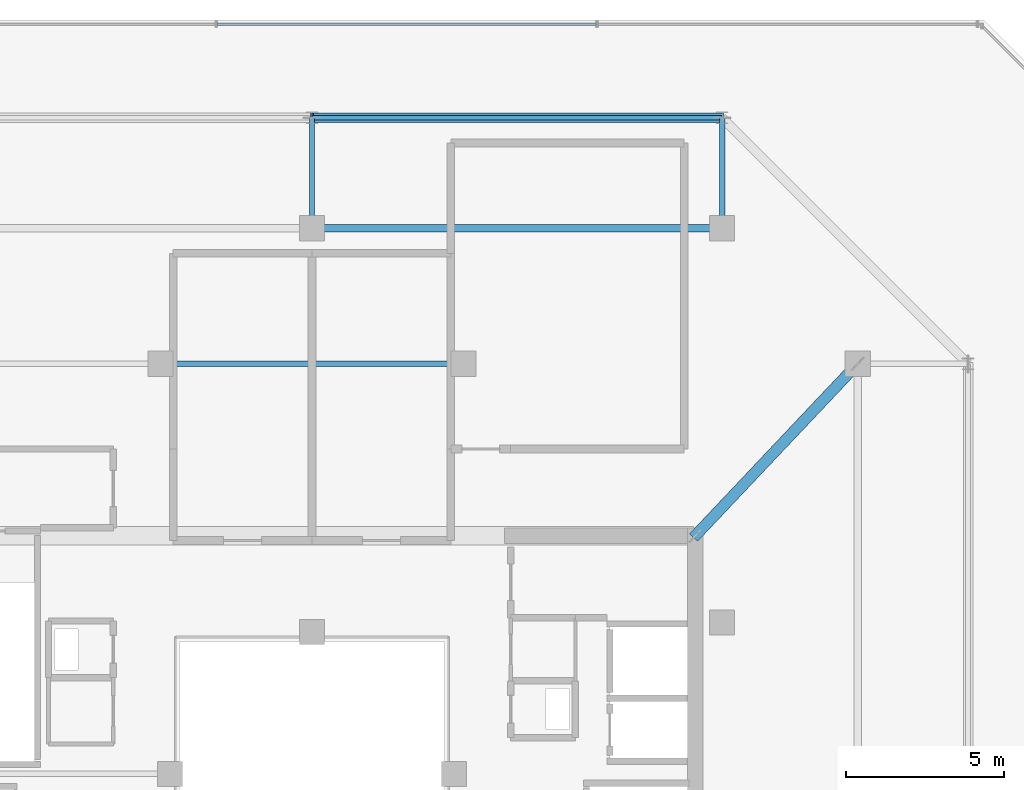
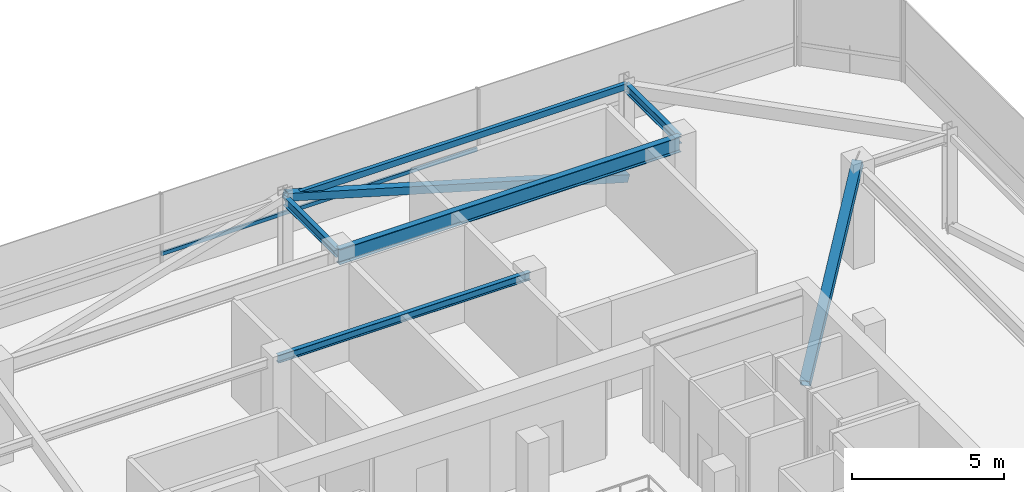
# One storey, part 32 of 47: 5 beams, 3 members, 1 element without a shape of its own.
"""IFC4 building model written with IfcOpenShell, lengths in metres."""

from ifc_helpers import new_model, si_unit, direction, frame, origin, origin_2d, place, context, subcontext, project, spatial, hollow_rectangle, i_section, extrude, material, material_profile, profile_set, type_object, element, aggregate, save


model = new_model("IFC4")

# Units and contexts
model_context = context("Model", 3, precision=1e-05, world=origin(), true_north=direction((0.0, 1.0)))
body_context = subcontext(model_context, "Body", "Model", "MODEL_VIEW")
ifc_project = project(units=[si_unit("LENGTHUNIT", "METRE"), si_unit("AREAUNIT", "SQUARE_METRE"), si_unit("VOLUMEUNIT", "CUBIC_METRE"), si_unit("PLANEANGLEUNIT", "RADIAN"), si_unit("MASSUNIT", "GRAM", prefix="KILO")], contexts=[model_context])

# Site, building, storey
site_placement = place(None, origin())
site = spatial("IfcSite", under=ifc_project, at=site_placement, CompositionType="ELEMENT")
building_placement = place(site_placement, origin())
building = spatial("IfcBuilding", under=site, at=building_placement, Name="Thornwick Lancets Civic Towers", CompositionType="ELEMENT")
storey_placement = place(building_placement, frame((0.0, 0.0, 279.89990234375)))
storey = spatial("IfcBuildingStorey", under=building, at=storey_placement, Name="C01", CompositionType="ELEMENT", Elevation=279.89990234375)

# Beams
ifc_material_1 = material(Name="Steel S355JR", Category="steel")
ifc_material_profile_1 = material_profile(ifc_material_1, hollow_rectangle(XDim=0.14990234375, YDim=0.25, WallThickness=0.012451171875, at=origin_2d()), Name="RHS 250x150x12.5")
ifc_profile_set_1 = profile_set([ifc_material_profile_1], Name="Steel S355JR")
beam_type_1 = type_object("IfcBeamType", Name="BM_CROWN_RHS250", PredefinedType="BEAM", material=ifc_profile_set_1)
beam_1_placement = place(storey_placement, frame((101.5, 47.800048828125, 3.815185546875), z_axis=(-1.0, 0.0, 0.0), x_axis=(0.0, -1.0, 0.0)))
element("IfcBeam", 1, at=beam_1_placement, inside=storey, type_object=beam_type_1, Name="BM-EDGE-C01-B-S1-1", PredefinedType="BEAM", context=body_context, shape_type="SweptSolid", body=[
    extrude(hollow_rectangle(XDim=0.14990234375, YDim=0.25, WallThickness=0.012451171875, at=origin_2d()), origin(), (0.0, 0.0, 1.0), 13.0),
])
ifc_material_profile_2 = material_profile(ifc_material_1, i_section(OverallWidth=0.230224609375, OverallDepth=0.6171875, WebThickness=0.01318359375, FlangeThickness=0.022216796875, FilletRadius=0.0126953125, at=origin_2d()), Name="UKB 610x229x140")
ifc_profile_set_2 = profile_set([ifc_material_profile_2], Name="Steel S355JR")
beam_type_2 = type_object("IfcBeamType", Name="BM_GIRD_610_140", PredefinedType="BEAM", material=ifc_profile_set_2)
beam_2_placement = place(storey_placement, frame((101.5, 44.300048828125, 3.631591796875), z_axis=(-1.0, 0.0, 0.0), x_axis=(0.0, -1.0, 0.0)))
element("IfcBeam", 2, at=beam_2_placement, inside=storey, type_object=beam_type_2, Name="BM-SPINE-C01-B-3-4", PredefinedType="BEAM", context=body_context, shape_type="SweptSolid", body=[
    extrude(i_section(OverallWidth=0.230224609375, OverallDepth=0.6171875, WebThickness=0.01318359375, FlangeThickness=0.022216796875, FilletRadius=0.0126953125, at=origin_2d()), origin(), (0.0, 0.0, 1.0), 13.0),
])
ifc_material_profile_3 = material_profile(ifc_material_1, i_section(OverallWidth=0.173095703125, OverallDepth=0.36328125, WebThickness=0.009033203125, FlangeThickness=0.015625, FilletRadius=0.01025390625, at=origin_2d()), Name="UKB 356x171x67")
ifc_profile_set_3 = profile_set([ifc_material_profile_3], Name="Steel S355JR")
beam_type_3 = type_object("IfcBeamType", Name="BM_JOIST_356_67", PredefinedType="JOIST", material=ifc_profile_set_3)
for number, where, z_axis, x_axis, name in (
    (3, (101.5, 44.300048828125, 3.75830078125), (0.0, 1.0, 0.0), (-1.0, 0.0, 0.0), "BM-RAD-C01-B04"),
    (4, (88.5, 44.300048828125, 3.75830078125), (0.0, 1.0, 0.0), (-1.0, 0.0, 0.0), "BM-RAD-C01-B05"),
):
    element("IfcBeam", number, at=place(storey_placement, frame(where, z_axis=z_axis, x_axis=x_axis)), inside=storey, type_object=beam_type_3, Name=name, PredefinedType="JOIST", context=body_context, shape_type="SweptSolid", body=[
        extrude(i_section(OverallWidth=0.173095703125, OverallDepth=0.36328125, WebThickness=0.009033203125, FlangeThickness=0.015625, FilletRadius=0.01025390625, at=origin_2d()), origin(), (0.0, 0.0, 1.0), 3.5),
    ])
ifc_material_profile_4 = material_profile(ifc_material_1, i_section(OverallWidth=0.1669921875, OverallDepth=0.310302734375, WebThickness=0.0078125, FlangeThickness=0.013671875, FilletRadius=0.0087890625, at=origin_2d()), Name="UKB 305x165x54")
ifc_profile_set_4 = profile_set([ifc_material_profile_4], Name="Steel S355JR")
beam_type_4 = type_object("IfcBeamType", Name="BM_LINTEL_305_54", PredefinedType="LINTEL", material=ifc_profile_set_4)
beam_3_placement = place(storey_placement, frame((93.300048828125, 40.0, 3.784912109375), z_axis=(-1.0, 0.0, 0.0), x_axis=(0.0, -1.0, 0.0)))
element("IfcBeam", 5, at=beam_3_placement, inside=storey, type_object=beam_type_4, Name="BM-INSP-C01-B-1-3", PredefinedType="LINTEL", context=body_context, shape_type="SweptSolid", body=[
    extrude(i_section(OverallWidth=0.1669921875, OverallDepth=0.310302734375, WebThickness=0.0078125, FlangeThickness=0.013671875, FilletRadius=0.0087890625, at=origin_2d()), origin(), (0.0, 0.0, 1.0), 9.60009765625),
])

# Curtain wall, member
ifc_material_2 = material(Name="Crown ring acoustic-louvre and glazing screen wall", Category="glass")
curtain_wall_type = type_object("IfcCurtainWallType", Name="CW_SYS_07", PredefinedType="NOTDEFINED", material=ifc_material_2)
curtain_wall_placement = place(storey_placement, origin())
curtain_wall = element("IfcCurtainWall", 6, at=curtain_wall_placement, inside=storey, type_object=curtain_wall_type, Name="C01 Curtain Wall CW-C01-B-E4", PredefinedType="NOTDEFINED")
ifc_material_3 = material(Name="Thermally broken bronze aluminium S355", Category="steel")
ifc_material_profile_5 = material_profile(ifc_material_3, hollow_rectangle(XDim=0.074951171875, YDim=0.14990234375, WallThickness=0.0048828125, at=origin_2d()), Name="RHS 150x75x5")
ifc_profile_set_5 = profile_set([ifc_material_profile_5], Name="Thermally broken bronze aluminium S355")
member_type_1 = type_object("IfcMemberType", Name="CW_TRN_150", PredefinedType="USERDEFINED", material=ifc_profile_set_5)
member_1_placement = place(storey_placement, frame((97.513916015625, 50.7646484375, 0.85009765625), z_axis=(-1.0, 0.0, 0.0), x_axis=(0.0, -1.0, 0.0)))
member_1 = element("IfcMember", 7, at=member_1_placement, type_object=member_type_1, Name="CW-C01-B-E4 Transom 1", ObjectType="TRANSOM", PredefinedType="USERDEFINED", context=body_context, shape_type="SweptSolid", body=[
    extrude(hollow_rectangle(XDim=0.074951171875, YDim=0.14990234375, WallThickness=0.0048828125, at=origin_2d()), origin(), (0.0, 0.0, 1.0), 12.02783203125),
])
aggregate(curtain_wall, [member_1])

# Members
ifc_material_4 = material(Name="Steel S460M", Category="steel")
ifc_material_profile_6 = material_profile(ifc_material_4, hollow_rectangle(XDim=0.300048828125, YDim=0.300048828125, WallThickness=0.01611328125, at=origin_2d()), Name="SHS 300x300x16")
ifc_profile_set_6 = profile_set([ifc_material_profile_6], Name="Steel S460M")
member_type_2 = type_object("IfcMemberType", Name="MEM_BELT_SHS300", PredefinedType="BRACE", material=ifc_profile_set_6)
member_2_placement = place(storey_placement, frame((101.5, 47.800048828125, 0.150146484375), z_axis=(-0.960032302388, 0.0, 0.279889225178), x_axis=(0.0, -1.0, 0.0)))
element("IfcMember", 8, at=member_2_placement, inside=storey, type_object=member_type_2, Name="C01 Belt Truss Diagonal B-S1-1", PredefinedType="BRACE", context=body_context, shape_type="SweptSolid", body=[
    extrude(hollow_rectangle(XDim=0.300048828125, YDim=0.300048828125, WallThickness=0.01611328125, at=origin_2d()), origin(), (0.0, 0.0, 1.0), 13.541259765625),
])
ifc_material_profile_7 = material_profile(ifc_material_4, hollow_rectangle(XDim=0.35009765625, YDim=0.35009765625, WallThickness=0.01611328125, at=origin_2d()), Name="SHS 350x350x16")
ifc_profile_set_7 = profile_set([ifc_material_profile_7], Name="Steel S460M")
member_type_3 = type_object("IfcMemberType", Name="MEM_OUTRIG_SHS350", PredefinedType="BRACE", material=ifc_profile_set_7)
member_3_placement = place(storey_placement, frame((100.64990234375, 34.550048828125, 0.150146484375), z_axis=(0.612980761558, 0.648664116628, 0.451098048942), x_axis=(-0.726815378038, 0.686832880872, 0.0)))
element("IfcMember", 9, at=member_3_placement, inside=storey, type_object=member_type_3, Name="C01 Outrigger Brace B-2", PredefinedType="BRACE", context=body_context, shape_type="SweptSolid", body=[
    extrude(hollow_rectangle(XDim=0.35009765625, YDim=0.35009765625, WallThickness=0.01611328125, at=origin_2d()), origin(), (0.0, 0.0, 1.0), 8.40185546875),
])

save(model, "model.ifc")
